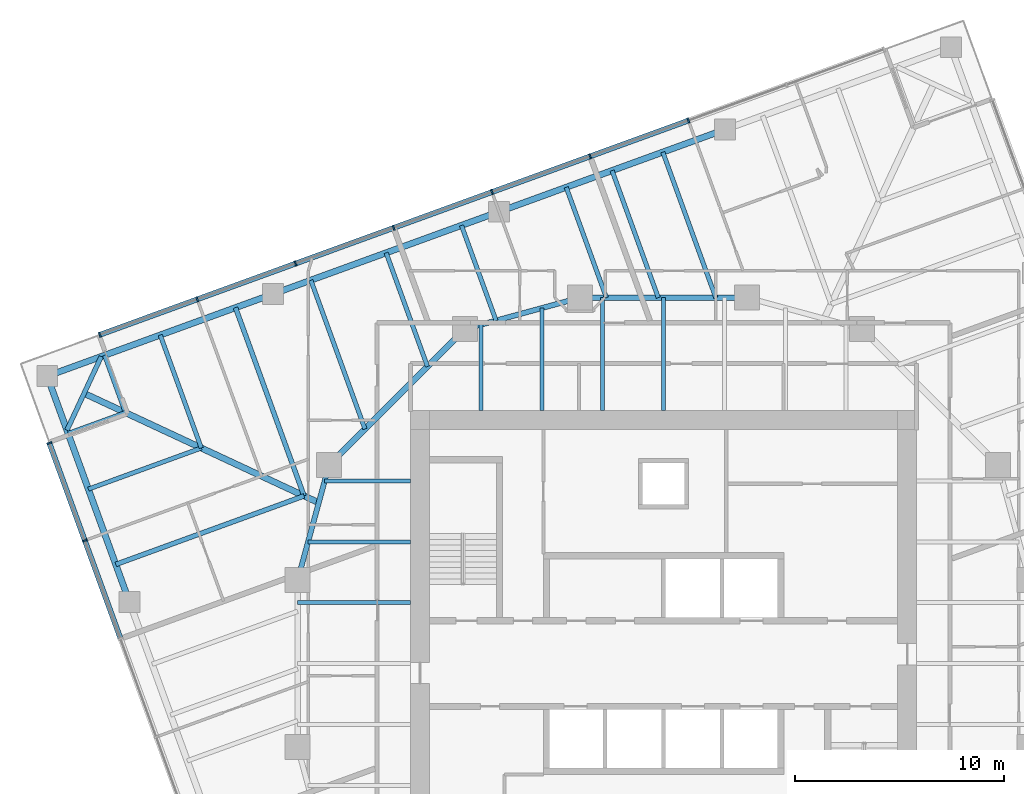
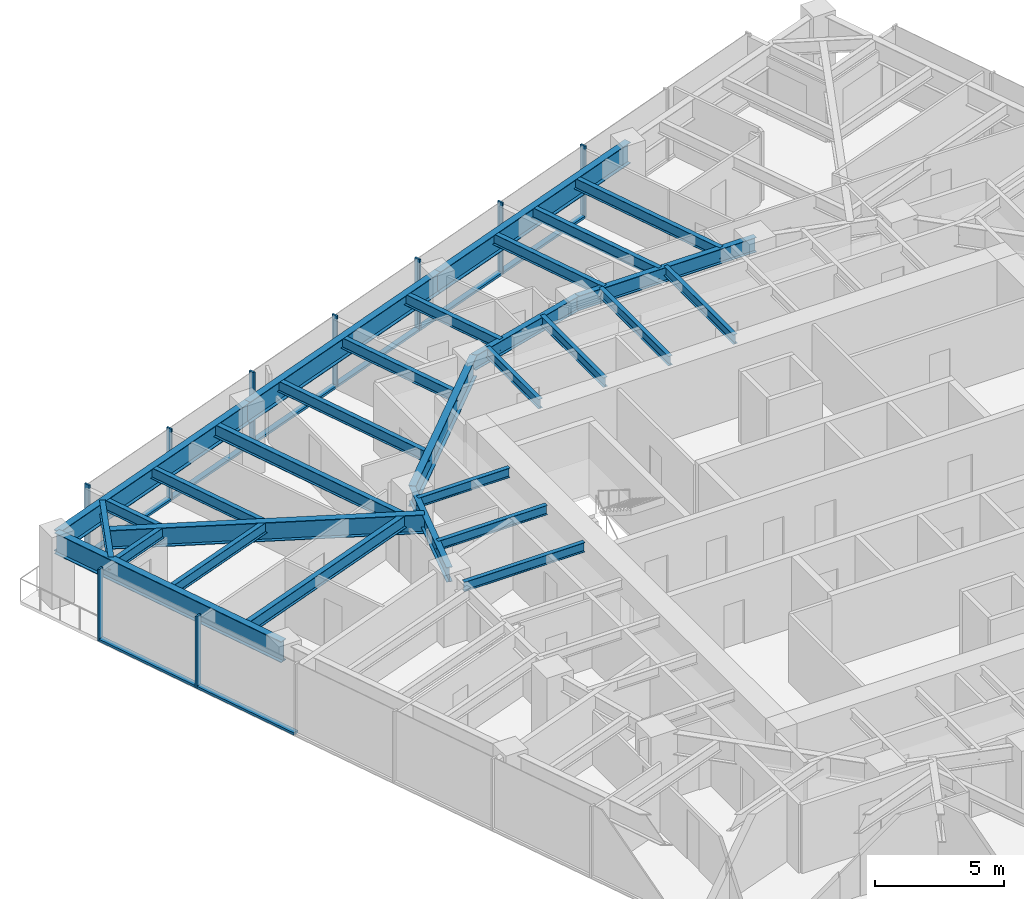
# One storey, part 4 of 13: 29 beams, 17 members, 2 elements without a shape of their own.
"""IFC4 building model written with IfcOpenShell, lengths in metres."""

from ifc_helpers import new_model, si_unit, direction, frame, origin, origin_2d, place, context, subcontext, project, spatial, rectangle, i_section, extrude, material, material_profile, profile_set, type_object, element, aggregate, save


model = new_model("IFC4")

# Units and contexts
model_context = context("Model", 3, precision=1e-05, world=origin(), true_north=direction((0.0, 1.0)))
body_context = subcontext(model_context, "Body", "Model", "MODEL_VIEW")
ifc_project = project(units=[si_unit("LENGTHUNIT", "METRE"), si_unit("AREAUNIT", "SQUARE_METRE"), si_unit("VOLUMEUNIT", "CUBIC_METRE"), si_unit("PLANEANGLEUNIT", "RADIAN"), si_unit("MASSUNIT", "GRAM", prefix="KILO")], contexts=[model_context])

# Site, building, storey
site_placement = place(None, origin())
site = spatial("IfcSite", under=ifc_project, at=site_placement, CompositionType="ELEMENT")
building_placement = place(site_placement, origin())
building = spatial("IfcBuilding", under=site, at=building_placement, Name="Torsade Residences", CompositionType="ELEMENT")
storey_placement = place(building_placement, frame((0.0, 0.0, 143.800048828125)))
storey = spatial("IfcBuildingStorey", under=building, at=storey_placement, Name="L39", CompositionType="ELEMENT", Elevation=143.800048828125)

# Beams
ifc_material_1 = material(Name="Steel grade 300", Category="steel")
ifc_material_profile_1 = material_profile(ifc_material_1, i_section(OverallWidth=0.300048828125, OverallDepth=0.89990234375, WebThickness=0.011962890625, FlangeThickness=0.02490234375, at=origin_2d()), Name="900WB175")
ifc_profile_set_1 = profile_set([ifc_material_profile_1], Name="Steel grade 300")
beam_type_1 = type_object("IfcBeamType", Name="CORNER GIRDER 900WB175", PredefinedType="BEAM", material=ifc_profile_set_1)
beam_1_placement = place(storey_placement, frame((12.282958984375, 42.924560546875, 2.800048828125), z_axis=(0.906308509373, -0.422616712682, 0.0), x_axis=(0.422616712682, 0.906308509373, 0.0)))
element("IfcBeam", 1, at=beam_1_placement, inside=storey, type_object=beam_type_1, Name="Corner girder 13 L40", PredefinedType="BEAM", context=body_context, shape_type="SweptSolid", body=[
    extrude(i_section(OverallWidth=0.300048828125, OverallDepth=0.89990234375, WebThickness=0.011962890625, FlangeThickness=0.02490234375, at=origin_2d()), origin(), (0.0, 0.0, 1.0), 12.3837890625),
])
ifc_material_2 = material(Name="Steel grade 300", Category="steel")
ifc_material_profile_2 = material_profile(ifc_material_2, i_section(OverallWidth=0.22802734375, OverallDepth=0.60205078125, WebThickness=0.010498046875, FlangeThickness=0.014892578125, FilletRadius=0.013916015625, at=origin_2d()), Name="610UB101")
ifc_profile_set_2 = profile_set([ifc_material_profile_2], Name="Steel grade 300")
beam_type_2 = type_object("IfcBeamType", Name="CORNER TRIMMER 610UB101", PredefinedType="BEAM", material=ifc_profile_set_2)
beam_2_placement = place(storey_placement, frame((11.461181640625, 41.162353515625, 2.948974609375), z_axis=(0.422613947806, 0.906309798645, 0.0), x_axis=(-0.906309798645, 0.422613947806, 0.0)))
element("IfcBeam", 2, at=beam_2_placement, inside=storey, type_object=beam_type_2, Name="Corner trimmer 13 L40", PredefinedType="BEAM", context=body_context, shape_type="SweptSolid", body=[
    extrude(i_section(OverallWidth=0.22802734375, OverallDepth=0.60205078125, WebThickness=0.010498046875, FlangeThickness=0.014892578125, FilletRadius=0.013916015625, at=origin_2d()), origin(), (0.0, 0.0, 1.0), 3.888916015625),
])
ifc_material_3 = material(Name="Steel grade 300", Category="steel")
ifc_material_profile_3 = material_profile(ifc_material_3, i_section(OverallWidth=0.300048828125, OverallDepth=1.0, WebThickness=0.01611328125, FlangeThickness=0.028076171875, at=origin_2d()), Name="1000WB215")
ifc_profile_set_3 = profile_set([ifc_material_profile_3], Name="Steel grade 300")
beam_type_3 = type_object("IfcBeamType", Name="EDGE BEAM 1000WB215", PredefinedType="SPANDREL", material=ifc_profile_set_3)
for number, where, z_axis, x_axis, name in (
    (3, (42.93994140625, 55.546142578125, 2.75), (-0.939695448801, -0.342012373318, 0.0), (0.342012373318, -0.939695448801, 0.0), "Edge beam 10 L40"),
    (4, (32.133544921875, 51.613037109375, 2.75), (-0.939688625666, -0.342031119628, 0.0), (0.342031119628, -0.939688625666, 0.0), "Edge beam 11 L40"),
    (5, (21.3271484375, 47.6796875, 2.75), (-0.939697932031, -0.342005550448, 0.0), (0.342005550448, -0.939697932031, 0.0), "Edge beam 12 L40"),
):
    element("IfcBeam", number, at=place(storey_placement, frame(where, z_axis=z_axis, x_axis=x_axis)), inside=storey, type_object=beam_type_3, Name=name, PredefinedType="SPANDREL", context=body_context, shape_type="SweptSolid", body=[
        extrude(i_section(OverallWidth=0.300048828125, OverallDepth=1.0, WebThickness=0.01611328125, FlangeThickness=0.028076171875, at=origin_2d()), origin(), (0.0, 0.0, 1.0), 11.5),
    ])
beam_3_placement = place(storey_placement, frame((10.5205078125, 43.74658203125, 2.75), z_axis=(0.342024296483, -0.93969110915, 0.0), x_axis=(0.93969110915, 0.342024296483, 0.0)))
element("IfcBeam", 6, at=beam_3_placement, inside=storey, type_object=beam_type_3, Name="Edge beam 13 L40", PredefinedType="SPANDREL", context=body_context, shape_type="SweptSolid", body=[
    extrude(i_section(OverallWidth=0.300048828125, OverallDepth=1.0, WebThickness=0.01611328125, FlangeThickness=0.028076171875, at=origin_2d()), origin(), (0.0, 0.0, 1.0), 11.500244140625),
])
ifc_material_4 = material(Name="Steel grade 300", Category="steel")
ifc_material_profile_4 = material_profile(ifc_material_4, i_section(OverallWidth=0.18994140625, OverallDepth=0.4541015625, WebThickness=0.008544921875, FlangeThickness=0.0126953125, FilletRadius=0.011474609375, at=origin_2d()), Name="460UB67.1")
ifc_profile_set_4 = profile_set([ifc_material_profile_4], Name="Steel grade 300")
beam_type_4 = type_object("IfcBeamType", Name="INNER FLOOR BEAM 460UB67.1", PredefinedType="JOIST", material=ifc_profile_set_4)
beam_4_placement = place(storey_placement, frame((31.262451171875, 42.10009765625, 3.02294921875), z_axis=(0.0, 1.0, 0.0), x_axis=(-1.0, 0.0, 0.0)))
element("IfcBeam", 7, at=beam_4_placement, inside=storey, type_object=beam_type_4, Name="Inner floor beam IN01 L40", PredefinedType="JOIST", context=body_context, shape_type="SweptSolid", body=[
    extrude(i_section(OverallWidth=0.18994140625, OverallDepth=0.4541015625, WebThickness=0.008544921875, FlangeThickness=0.0126953125, FilletRadius=0.011474609375, at=origin_2d()), origin(), (0.0, 0.0, 1.0), 4.10791015625),
])
beam_5_placement = place(storey_placement, frame((34.175048828125, 42.10009765625, 3.02294921875), z_axis=(0.0, 1.0, 0.0), x_axis=(-1.0, 0.0, 0.0)))
element("IfcBeam", 8, at=beam_5_placement, inside=storey, type_object=beam_type_4, Name="Inner floor beam IN02 L40", PredefinedType="JOIST", context=body_context, shape_type="SweptSolid", body=[
    extrude(i_section(OverallWidth=0.18994140625, OverallDepth=0.4541015625, WebThickness=0.008544921875, FlangeThickness=0.0126953125, FilletRadius=0.011474609375, at=origin_2d()), origin(), (0.0, 0.0, 1.0), 4.902099609375),
])
for number, where, z_axis, x_axis, name in (
    (9, (37.08740234375, 42.10009765625, 3.02294921875), (0.0, 1.0, 0.0), (-1.0, 0.0, 0.0), "Inner floor beam IN03 L40"),
    (10, (40.0, 42.10009765625, 3.02294921875), (0.0, 1.0, 0.0), (-1.0, 0.0, 0.0), "Inner floor beam IN04 L40"),
):
    element("IfcBeam", number, at=place(storey_placement, frame(where, z_axis=z_axis, x_axis=x_axis)), inside=storey, type_object=beam_type_4, Name=name, PredefinedType="JOIST", context=body_context, shape_type="SweptSolid", body=[
        extrude(i_section(OverallWidth=0.18994140625, OverallDepth=0.4541015625, WebThickness=0.008544921875, FlangeThickness=0.0126953125, FilletRadius=0.011474609375, at=origin_2d()), origin(), (0.0, 0.0, 1.0), 5.39990234375),
    ])
beam_6_placement = place(storey_placement, frame((27.89990234375, 38.737548828125, 3.02294921875), z_axis=(-1.0, 0.0, 0.0), x_axis=(0.0, -1.0, 0.0)))
element("IfcBeam", 11, at=beam_6_placement, inside=storey, type_object=beam_type_4, Name="Inner floor beam IW01 L40", PredefinedType="JOIST", context=body_context, shape_type="SweptSolid", body=[
    extrude(i_section(OverallWidth=0.18994140625, OverallDepth=0.4541015625, WebThickness=0.008544921875, FlangeThickness=0.0126953125, FilletRadius=0.011474609375, at=origin_2d()), origin(), (0.0, 0.0, 1.0), 4.10791015625),
])
beam_7_placement = place(storey_placement, frame((27.89990234375, 35.824951171875, 3.02294921875), z_axis=(-1.0, 0.0, 0.0), x_axis=(0.0, -1.0, 0.0)))
element("IfcBeam", 12, at=beam_7_placement, inside=storey, type_object=beam_type_4, Name="Inner floor beam IW02 L40", PredefinedType="JOIST", context=body_context, shape_type="SweptSolid", body=[
    extrude(i_section(OverallWidth=0.18994140625, OverallDepth=0.4541015625, WebThickness=0.008544921875, FlangeThickness=0.0126953125, FilletRadius=0.011474609375, at=origin_2d()), origin(), (0.0, 0.0, 1.0), 4.902099609375),
])
beam_8_placement = place(storey_placement, frame((27.89990234375, 32.91259765625, 3.02294921875), z_axis=(-1.0, 0.0, 0.0), x_axis=(0.0, -1.0, 0.0)))
element("IfcBeam", 13, at=beam_8_placement, inside=storey, type_object=beam_type_4, Name="Inner floor beam IW03 L40", PredefinedType="JOIST", context=body_context, shape_type="SweptSolid", body=[
    extrude(i_section(OverallWidth=0.18994140625, OverallDepth=0.4541015625, WebThickness=0.008544921875, FlangeThickness=0.0126953125, FilletRadius=0.011474609375, at=origin_2d()), origin(), (0.0, 0.0, 1.0), 5.39990234375),
])

# Curtain wall, members
ifc_material_5 = material(Name="Aluminium and glass", Category="aluminium")
curtain_wall_type = type_object("IfcCurtainWallType", Name="FRITTED GLASS CURTAIN WALL MID ZONE", PredefinedType="NOTDEFINED", material=ifc_material_5)
curtain_wall_1_placement = place(storey_placement, origin())
curtain_wall_1 = element("IfcCurtainWall", 14, at=curtain_wall_1_placement, inside=storey, type_object=curtain_wall_type, Name="Curtain wall L39 face 7", PredefinedType="NOTDEFINED")
ifc_material_6 = material(Name="Aluminium mullion", Category="aluminium")
ifc_material_profile_5 = material_profile(ifc_material_6, rectangle(XDim=0.25, YDim=0.080078125, at=origin_2d()), Name="MID ZONE CURTAIN WALL MULLION 250x80")
ifc_profile_set_5 = profile_set([ifc_material_profile_5], Name="Aluminium mullion")
member_type_1 = type_object("IfcMemberType", Name="MID ZONE CURTAIN WALL MULLION 250x80", PredefinedType="MULLION", material=ifc_profile_set_5)
member_1_placement = place(storey_placement, frame((41.1884765625, 55.972900390625, 0.0), z_axis=(0.0, 0.0, 1.0), x_axis=(0.342020147869, -0.939692619132, 0.0)))
member_1 = element("IfcMember", 15, at=member_1_placement, type_object=member_type_1, Name="Mullion 3", PredefinedType="MULLION", context=body_context, shape_type="SweptSolid", body=[
    extrude(rectangle(XDim=0.25, YDim=0.080078125, at=origin_2d()), origin(), (0.0, 0.0, 1.0), 3.39990234375),
])
member_2_placement = place(storey_placement, frame((36.489990234375, 54.2626953125, 0.0), z_axis=(0.0, 0.0, 1.0), x_axis=(0.342020147869, -0.939692619132, 0.0)))
member_2 = element("IfcMember", 16, at=member_2_placement, type_object=member_type_1, Name="Mullion 4", PredefinedType="MULLION", context=body_context, shape_type="SweptSolid", body=[
    extrude(rectangle(XDim=0.25, YDim=0.080078125, at=origin_2d()), origin(), (0.0, 0.0, 1.0), 3.39990234375),
])
member_3_placement = place(storey_placement, frame((31.79150390625, 52.552734375, 0.0), z_axis=(0.0, 0.0, 1.0), x_axis=(0.342020147869, -0.939692619132, 0.0)))
member_3 = element("IfcMember", 17, at=member_3_placement, type_object=member_type_1, Name="Mullion 5", PredefinedType="MULLION", context=body_context, shape_type="SweptSolid", body=[
    extrude(rectangle(XDim=0.25, YDim=0.080078125, at=origin_2d()), origin(), (0.0, 0.0, 1.0), 3.39990234375),
])
member_4_placement = place(storey_placement, frame((27.093017578125, 50.842529296875, 0.0), z_axis=(0.0, 0.0, 1.0), x_axis=(0.342020147869, -0.939692619132, 0.0)))
member_4 = element("IfcMember", 18, at=member_4_placement, type_object=member_type_1, Name="Mullion 6", PredefinedType="MULLION", context=body_context, shape_type="SweptSolid", body=[
    extrude(rectangle(XDim=0.25, YDim=0.080078125, at=origin_2d()), origin(), (0.0, 0.0, 1.0), 3.39990234375),
])
member_5_placement = place(storey_placement, frame((22.39453125, 49.13232421875, 0.0), z_axis=(0.0, 0.0, 1.0), x_axis=(0.342020147869, -0.939692619132, 0.0)))
member_5 = element("IfcMember", 19, at=member_5_placement, type_object=member_type_1, Name="Mullion 7", PredefinedType="MULLION", context=body_context, shape_type="SweptSolid", body=[
    extrude(rectangle(XDim=0.25, YDim=0.080078125, at=origin_2d()), origin(), (0.0, 0.0, 1.0), 3.39990234375),
])
member_6_placement = place(storey_placement, frame((17.696044921875, 47.42236328125, 0.0), z_axis=(0.0, 0.0, 1.0), x_axis=(0.342020147869, -0.939692619132, 0.0)))
member_6 = element("IfcMember", 20, at=member_6_placement, type_object=member_type_1, Name="Mullion 8", PredefinedType="MULLION", context=body_context, shape_type="SweptSolid", body=[
    extrude(rectangle(XDim=0.25, YDim=0.080078125, at=origin_2d()), origin(), (0.0, 0.0, 1.0), 3.39990234375),
])
member_7_placement = place(storey_placement, frame((13.03515625, 45.725830078125, 0.0), z_axis=(0.0, 0.0, 1.0), x_axis=(0.342020147869, -0.939692619132, 0.0)))
member_7 = element("IfcMember", 21, at=member_7_placement, type_object=member_type_1, Name="Mullion 9", PredefinedType="MULLION", context=body_context, shape_type="SweptSolid", body=[
    extrude(rectangle(XDim=0.25, YDim=0.080078125, at=origin_2d()), origin(), (0.0, 0.0, 1.0), 3.39990234375),
])

curtain_wall_2_placement = place(storey_placement, origin())
curtain_wall_2 = element("IfcCurtainWall", 22, at=curtain_wall_2_placement, inside=storey, type_object=curtain_wall_type, Name="Curtain wall L39 face 10", PredefinedType="NOTDEFINED")
member_8_placement = place(storey_placement, frame((10.62060546875, 40.5478515625, 0.0), z_axis=(0.0, 0.0, 1.0), x_axis=(0.939692619132, 0.342020147869, 0.0)))
member_8 = element("IfcMember", 23, at=member_8_placement, type_object=member_type_1, Name="Mullion 1", PredefinedType="MULLION", context=body_context, shape_type="SweptSolid", body=[
    extrude(rectangle(XDim=0.25, YDim=0.080078125, at=origin_2d()), origin(), (0.0, 0.0, 1.0), 3.39990234375),
])
member_9_placement = place(storey_placement, frame((12.317138671875, 35.886962890625, 0.0), z_axis=(0.0, 0.0, 1.0), x_axis=(0.939692619132, 0.342020147869, 0.0)))
member_9 = element("IfcMember", 24, at=member_9_placement, type_object=member_type_1, Name="Mullion 2", PredefinedType="MULLION", context=body_context, shape_type="SweptSolid", body=[
    extrude(rectangle(XDim=0.25, YDim=0.080078125, at=origin_2d()), origin(), (0.0, 0.0, 1.0), 3.39990234375),
])

# Member
ifc_material_7 = material(Name="Aluminium transom", Category="aluminium")
ifc_material_profile_6 = material_profile(ifc_material_7, rectangle(XDim=0.25, YDim=0.110107421875, at=origin_2d()), Name="MID ZONE CURTAIN WALL TRANSOM 250x110")
ifc_profile_set_6 = profile_set([ifc_material_profile_6], Name="Aluminium transom")
member_type_2 = type_object("IfcMemberType", Name="MID ZONE CURTAIN WALL TRANSOM 250x110", PredefinedType="USERDEFINED", material=ifc_profile_set_6)
member_10_placement = place(storey_placement, frame((41.15087890625, 55.959228515625, 0.054931640625), z_axis=(-0.93968471549, -0.342041862168, 0.0), x_axis=(0.342041862168, -0.93968471549, 0.0)))
member_10 = element("IfcMember", 25, at=member_10_placement, type_object=member_type_2, Name="Transom 3.1", ObjectType="TRANSOM", PredefinedType="USERDEFINED", context=body_context, shape_type="SweptSolid", body=[
    extrude(rectangle(XDim=0.25, YDim=0.110107421875, at=origin_2d()), origin(), (0.0, 0.0, 1.0), 4.920166015625),
])

member_11_placement = place(storey_placement, frame((36.452392578125, 54.2490234375, 0.054931640625), z_axis=(-0.9397006637, -0.341998044792, 0.0), x_axis=(0.341998044792, -0.9397006637, 0.0)))
member_11 = element("IfcMember", 26, at=member_11_placement, type_object=member_type_2, Name="Transom 4.1", ObjectType="TRANSOM", PredefinedType="USERDEFINED", context=body_context, shape_type="SweptSolid", body=[
    extrude(rectangle(XDim=0.25, YDim=0.110107421875, at=origin_2d()), origin(), (0.0, 0.0, 1.0), 4.919921875),
])

member_12_placement = place(storey_placement, frame((31.75390625, 52.5390625, 0.054931640625), z_axis=(-0.93968471549, -0.342041862168, 0.0), x_axis=(0.342041862168, -0.93968471549, 0.0)))
member_12 = element("IfcMember", 27, at=member_12_placement, type_object=member_type_2, Name="Transom 5.1", ObjectType="TRANSOM", PredefinedType="USERDEFINED", context=body_context, shape_type="SweptSolid", body=[
    extrude(rectangle(XDim=0.25, YDim=0.110107421875, at=origin_2d()), origin(), (0.0, 0.0, 1.0), 4.920166015625),
])

member_13_placement = place(storey_placement, frame((27.055419921875, 50.828857421875, 0.054931640625), z_axis=(-0.93968471549, -0.342041862168, 0.0), x_axis=(0.342041862168, -0.93968471549, 0.0)))
member_13 = element("IfcMember", 28, at=member_13_placement, type_object=member_type_2, Name="Transom 6.1", ObjectType="TRANSOM", PredefinedType="USERDEFINED", context=body_context, shape_type="SweptSolid", body=[
    extrude(rectangle(XDim=0.25, YDim=0.110107421875, at=origin_2d()), origin(), (0.0, 0.0, 1.0), 4.920166015625),
])

member_14_placement = place(storey_placement, frame((22.35693359375, 49.11865234375, 0.054931640625), z_axis=(-0.9397006637, -0.341998044792, 0.0), x_axis=(0.341998044792, -0.9397006637, 0.0)))
member_14 = element("IfcMember", 29, at=member_14_placement, type_object=member_type_2, Name="Transom 7.1", ObjectType="TRANSOM", PredefinedType="USERDEFINED", context=body_context, shape_type="SweptSolid", body=[
    extrude(rectangle(XDim=0.25, YDim=0.110107421875, at=origin_2d()), origin(), (0.0, 0.0, 1.0), 4.919921875),
])

member_15_placement = place(storey_placement, frame((17.658447265625, 47.40869140625, 0.054931640625), z_axis=(-0.939683823915, -0.342044311564, 0.0), x_axis=(0.342044311564, -0.939683823915, 0.0)))
member_15 = element("IfcMember", 30, at=member_15_placement, type_object=member_type_2, Name="Transom 8.1", ObjectType="TRANSOM", PredefinedType="USERDEFINED", context=body_context, shape_type="SweptSolid", body=[
    extrude(rectangle(XDim=0.25, YDim=0.110107421875, at=origin_2d()), origin(), (0.0, 0.0, 1.0), 4.880126953125),
])

aggregate(curtain_wall_1, [member_1, member_2, member_3, member_4, member_5, member_6, member_7, member_10, member_11, member_12, member_13, member_14, member_15])

member_16_placement = place(storey_placement, frame((10.63427734375, 40.51025390625, 0.054931640625), z_axis=(0.342044311564, -0.939683823915, 0.0), x_axis=(0.939683823915, 0.342044311564, 0.0)))
member_16 = element("IfcMember", 31, at=member_16_placement, type_object=member_type_2, Name="Transom 1.1", ObjectType="TRANSOM", PredefinedType="USERDEFINED", context=body_context, shape_type="SweptSolid", body=[
    extrude(rectangle(XDim=0.25, YDim=0.110107421875, at=origin_2d()), origin(), (0.0, 0.0, 1.0), 4.880126953125),
])

member_17_placement = place(storey_placement, frame((12.330810546875, 35.849365234375, 0.054931640625), z_axis=(0.341998044792, -0.9397006637, 0.0), x_axis=(0.9397006637, 0.341998044792, 0.0)))
member_17 = element("IfcMember", 32, at=member_17_placement, type_object=member_type_2, Name="Transom 2.1", ObjectType="TRANSOM", PredefinedType="USERDEFINED", context=body_context, shape_type="SweptSolid", body=[
    extrude(rectangle(XDim=0.25, YDim=0.110107421875, at=origin_2d()), origin(), (0.0, 0.0, 1.0), 4.919921875),
])

aggregate(curtain_wall_2, [member_8, member_9, member_16, member_17])

# Beams
ifc_material_8 = material(Name="Steel grade 300", Category="steel")
ifc_material_profile_7 = material_profile(ifc_material_8, i_section(OverallWidth=0.300048828125, OverallDepth=1.0, WebThickness=0.01611328125, FlangeThickness=0.028076171875, at=origin_2d()), Name="1000WB215")
ifc_profile_set_7 = profile_set([ifc_material_profile_7], Name="Steel grade 300")
beam_type_5 = type_object("IfcBeamType", Name="RING CORNER GIRDER 1000WB215", PredefinedType="BEAM", material=ifc_profile_set_7)
beam_9_placement = place(storey_placement, frame((30.5, 46.0, 2.75), z_axis=(-0.707106781187, -0.707106781187, 0.0), x_axis=(0.707106781187, -0.707106781187, 0.0)))
element("IfcBeam", 33, at=beam_9_placement, inside=storey, type_object=beam_type_5, Name="Ring girder IR07 L40", PredefinedType="BEAM", context=body_context, shape_type="SweptSolid", body=[
    extrude(i_section(OverallWidth=0.300048828125, OverallDepth=1.0, WebThickness=0.01611328125, FlangeThickness=0.028076171875, at=origin_2d()), origin(), (0.0, 0.0, 1.0), 9.1923828125),
])
ifc_material_9 = material(Name="Steel grade 300", Category="steel")
ifc_material_profile_8 = material_profile(ifc_material_9, i_section(OverallWidth=0.25, OverallDepth=0.699951171875, WebThickness=0.010009765625, FlangeThickness=0.02001953125, at=origin_2d()), Name="700WB130")
ifc_profile_set_8 = profile_set([ifc_material_profile_8], Name="Steel grade 300")
beam_type_6 = type_object("IfcBeamType", Name="RING GIRDER 700WB130", PredefinedType="BEAM", material=ifc_profile_set_8)
beam_10_placement = place(storey_placement, frame((44.0, 47.5, 2.89990234375), z_axis=(-1.0, 0.0, 0.0), x_axis=(0.0, -1.0, 0.0)))
element("IfcBeam", 34, at=beam_10_placement, inside=storey, type_object=beam_type_6, Name="Ring girder IR05 L40", PredefinedType="BEAM", context=body_context, shape_type="SweptSolid", body=[
    extrude(i_section(OverallWidth=0.25, OverallDepth=0.699951171875, WebThickness=0.010009765625, FlangeThickness=0.02001953125, at=origin_2d()), origin(), (0.0, 0.0, 1.0), 8.0),
])
for number, where, z_axis, x_axis, name in (
    (35, (36.0, 47.5, 2.89990234375), (-0.964763821238, -0.263117405792, 0.0), (0.263117405792, -0.964763821238, 0.0), "Ring girder IR06 L40"),
    (36, (24.0, 39.5, 2.89990234375), (-0.263117405792, -0.964763821238, 0.0), (0.964763821238, -0.263117405792, 0.0), "Ring girder IR08 L40"),
):
    element("IfcBeam", number, at=place(storey_placement, frame(where, z_axis=z_axis, x_axis=x_axis)), inside=storey, type_object=beam_type_6, Name=name, PredefinedType="BEAM", context=body_context, shape_type="SweptSolid", body=[
        extrude(i_section(OverallWidth=0.25, OverallDepth=0.699951171875, WebThickness=0.010009765625, FlangeThickness=0.02001953125, at=origin_2d()), origin(), (0.0, 0.0, 1.0), 5.700927734375),
    ])
ifc_material_10 = material(Name="Steel grade 300", Category="steel")
ifc_material_profile_9 = material_profile(ifc_material_10, i_section(OverallWidth=0.208984375, OverallDepth=0.528076171875, WebThickness=0.009521484375, FlangeThickness=0.01318359375, FilletRadius=0.013916015625, at=origin_2d()), Name="530UB82.0")
ifc_profile_set_9 = profile_set([ifc_material_profile_9], Name="Steel grade 300")
beam_type_7 = type_object("IfcBeamType", Name="SECONDARY BEAM 530UB82.0", PredefinedType="JOIST", material=ifc_profile_set_9)
beam_11_placement = place(storey_placement, frame((39.96435546875, 54.463134765625, 2.98583984375), z_axis=(0.342026105929, -0.939690450554, 0.0), x_axis=(0.939690450554, 0.342026105929, 0.0)))
element("IfcBeam", 37, at=beam_11_placement, inside=storey, type_object=beam_type_7, Name="Floor beam FN04 L40", PredefinedType="JOIST", context=body_context, shape_type="SweptSolid", body=[
    extrude(i_section(OverallWidth=0.208984375, OverallDepth=0.528076171875, WebThickness=0.009521484375, FlangeThickness=0.01318359375, FilletRadius=0.013916015625, at=origin_2d()), origin(), (0.0, 0.0, 1.0), 7.409912109375),
])
beam_12_placement = place(storey_placement, frame((37.536865234375, 53.57958984375, 2.98583984375), z_axis=(0.342000590983, -0.939699737026, 0.0), x_axis=(0.939699737026, 0.342000590983, 0.0)))
element("IfcBeam", 38, at=beam_12_placement, inside=storey, type_object=beam_type_7, Name="Floor beam FN05 L40", PredefinedType="JOIST", context=body_context, shape_type="SweptSolid", body=[
    extrude(i_section(OverallWidth=0.208984375, OverallDepth=0.528076171875, WebThickness=0.009521484375, FlangeThickness=0.01318359375, FilletRadius=0.013916015625, at=origin_2d()), origin(), (0.0, 0.0, 1.0), 6.4697265625),
])
beam_13_placement = place(storey_placement, frame((35.34423828125, 52.781494140625, 2.98583984375), z_axis=(0.341990681925, -0.939703343336, 0.0), x_axis=(0.939703343336, 0.341990681925, 0.0)))
element("IfcBeam", 39, at=beam_13_placement, inside=storey, type_object=beam_type_7, Name="Floor beam FN06 L40", PredefinedType="JOIST", context=body_context, shape_type="SweptSolid", body=[
    extrude(i_section(OverallWidth=0.208984375, OverallDepth=0.528076171875, WebThickness=0.009521484375, FlangeThickness=0.01318359375, FilletRadius=0.013916015625, at=origin_2d()), origin(), (0.0, 0.0, 1.0), 5.620361328125),
])
beam_14_placement = place(storey_placement, frame((30.33251953125, 50.957275390625, 2.98583984375), z_axis=(0.342014218604, -0.939694777187, 0.0), x_axis=(0.939694777187, 0.342014218604, 0.0)))
element("IfcBeam", 40, at=beam_14_placement, inside=storey, type_object=beam_type_7, Name="Floor beam FN07 L40", PredefinedType="JOIST", context=body_context, shape_type="SweptSolid", body=[
    extrude(i_section(OverallWidth=0.208984375, OverallDepth=0.528076171875, WebThickness=0.009521484375, FlangeThickness=0.01318359375, FilletRadius=0.013916015625, at=origin_2d()), origin(), (0.0, 0.0, 1.0), 4.84326171875),
])
beam_15_placement = place(storey_placement, frame((26.730224609375, 49.646240234375, 2.98583984375), z_axis=(0.342034409239, -0.939687428295, 0.0), x_axis=(0.939687428295, 0.342034409239, 0.0)))
element("IfcBeam", 41, at=beam_15_placement, inside=storey, type_object=beam_type_7, Name="Floor beam FN08 L40", PredefinedType="JOIST", context=body_context, shape_type="SweptSolid", body=[
    extrude(i_section(OverallWidth=0.208984375, OverallDepth=0.528076171875, WebThickness=0.009521484375, FlangeThickness=0.01318359375, FilletRadius=0.013916015625, at=origin_2d()), origin(), (0.0, 0.0, 1.0), 5.785888671875),
])
beam_16_placement = place(storey_placement, frame((23.128173828125, 48.335205078125, 2.98583984375), z_axis=(0.342027762686, -0.939689847531, 0.0), x_axis=(0.939689847531, 0.342027762686, 0.0)))
element("IfcBeam", 42, at=beam_16_placement, inside=storey, type_object=beam_type_7, Name="Floor beam FN09 L40", PredefinedType="JOIST", context=body_context, shape_type="SweptSolid", body=[
    extrude(i_section(OverallWidth=0.208984375, OverallDepth=0.528076171875, WebThickness=0.009521484375, FlangeThickness=0.01318359375, FilletRadius=0.013916015625, at=origin_2d()), origin(), (0.0, 0.0, 1.0), 7.573486328125),
])
beam_17_placement = place(storey_placement, frame((15.923828125, 45.713134765625, 2.98583984375), z_axis=(0.342005550448, -0.939697932031, 0.0), x_axis=(0.939697932031, 0.342005550448, 0.0)))
element("IfcBeam", 43, at=beam_17_placement, inside=storey, type_object=beam_type_7, Name="Floor beam FN11 L40", PredefinedType="JOIST", context=body_context, shape_type="SweptSolid", body=[
    extrude(i_section(OverallWidth=0.208984375, OverallDepth=0.528076171875, WebThickness=0.009521484375, FlangeThickness=0.01318359375, FilletRadius=0.013916015625, at=origin_2d()), origin(), (0.0, 0.0, 1.0), 5.75),
])
for number, where, z_axis, x_axis, name in (
    (44, (13.261474609375, 44.744140625, 2.98583984375), (0.341998427281, -0.939700524495, 0.0), (0.939700524495, 0.341998427281, 0.0), "Floor beam FN12 L40"),
    (45, (11.51806640625, 41.005615234375, 2.98583984375), (0.939700524495, 0.341998427281, 0.0), (-0.341998427281, 0.939700524495, 0.0), "Floor beam FW01 L40"),
):
    element("IfcBeam", number, at=place(storey_placement, frame(where, z_axis=z_axis, x_axis=x_axis)), inside=storey, type_object=beam_type_7, Name=name, PredefinedType="JOIST", context=body_context, shape_type="SweptSolid", body=[
        extrude(i_section(OverallWidth=0.208984375, OverallDepth=0.528076171875, WebThickness=0.009521484375, FlangeThickness=0.01318359375, FilletRadius=0.013916015625, at=origin_2d()), origin(), (0.0, 0.0, 1.0), 2.916748046875),
    ])
beam_18_placement = place(storey_placement, frame((12.4873046875, 38.34326171875, 2.98583984375), z_axis=(0.939692965423, 0.342019196443, 0.0), x_axis=(-0.342019196443, 0.939692965423, 0.0)))
element("IfcBeam", 46, at=beam_18_placement, inside=storey, type_object=beam_type_7, Name="Floor beam FW02 L40", PredefinedType="JOIST", context=body_context, shape_type="SweptSolid", body=[
    extrude(i_section(OverallWidth=0.208984375, OverallDepth=0.528076171875, WebThickness=0.009521484375, FlangeThickness=0.01318359375, FilletRadius=0.013916015625, at=origin_2d()), origin(), (0.0, 0.0, 1.0), 5.749755859375),
])
ifc_material_11 = material(Name="Steel grade 300", Category="steel")
ifc_material_profile_10 = material_profile(ifc_material_11, i_section(OverallWidth=0.22900390625, OverallDepth=0.612060546875, WebThickness=0.011962890625, FlangeThickness=0.01953125, FilletRadius=0.013916015625, at=origin_2d()), Name="610UB125")
ifc_profile_set_10 = profile_set([ifc_material_profile_10], Name="Steel grade 300")
beam_type_8 = type_object("IfcBeamType", Name="SECONDARY BEAM 610UB125", PredefinedType="JOIST", material=ifc_profile_set_10)
for number, where, z_axis, x_axis, name in (
    (47, (19.52587890625, 47.024169921875, 2.94384765625), (0.342033504181, -0.939687757725, 0.0), (0.939687757725, 0.342033504181, 0.0), "Floor beam FN10 L40"),
    (48, (13.79833984375, 34.740966796875, 2.94384765625), (0.939687757725, 0.342033504181, 0.0), (-0.342033504181, 0.939687757725, 0.0), "Floor beam FW03 L40"),
):
    element("IfcBeam", number, at=place(storey_placement, frame(where, z_axis=z_axis, x_axis=x_axis)), inside=storey, type_object=beam_type_8, Name=name, PredefinedType="JOIST", context=body_context, shape_type="SweptSolid", body=[
        extrude(i_section(OverallWidth=0.22900390625, OverallDepth=0.612060546875, WebThickness=0.011962890625, FlangeThickness=0.01953125, FilletRadius=0.013916015625, at=origin_2d()), origin(), (0.0, 0.0, 1.0), 9.583251953125),
    ])

save(model, "model.ifc")
